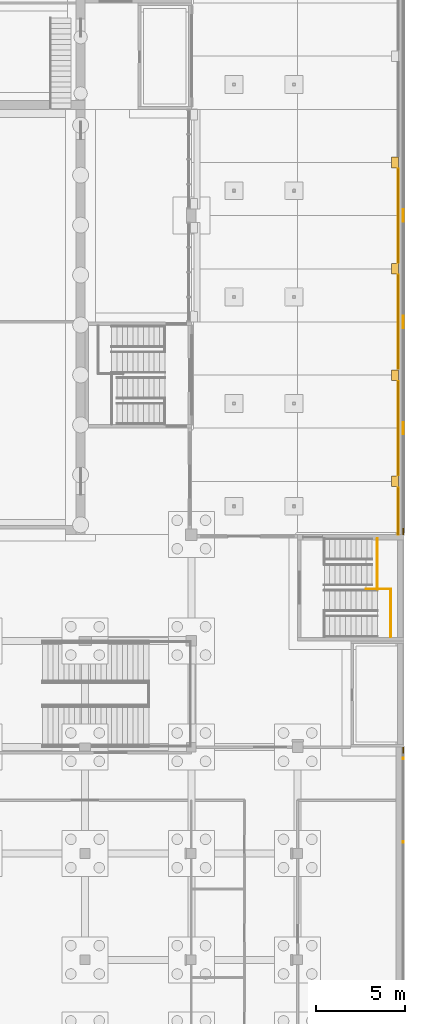
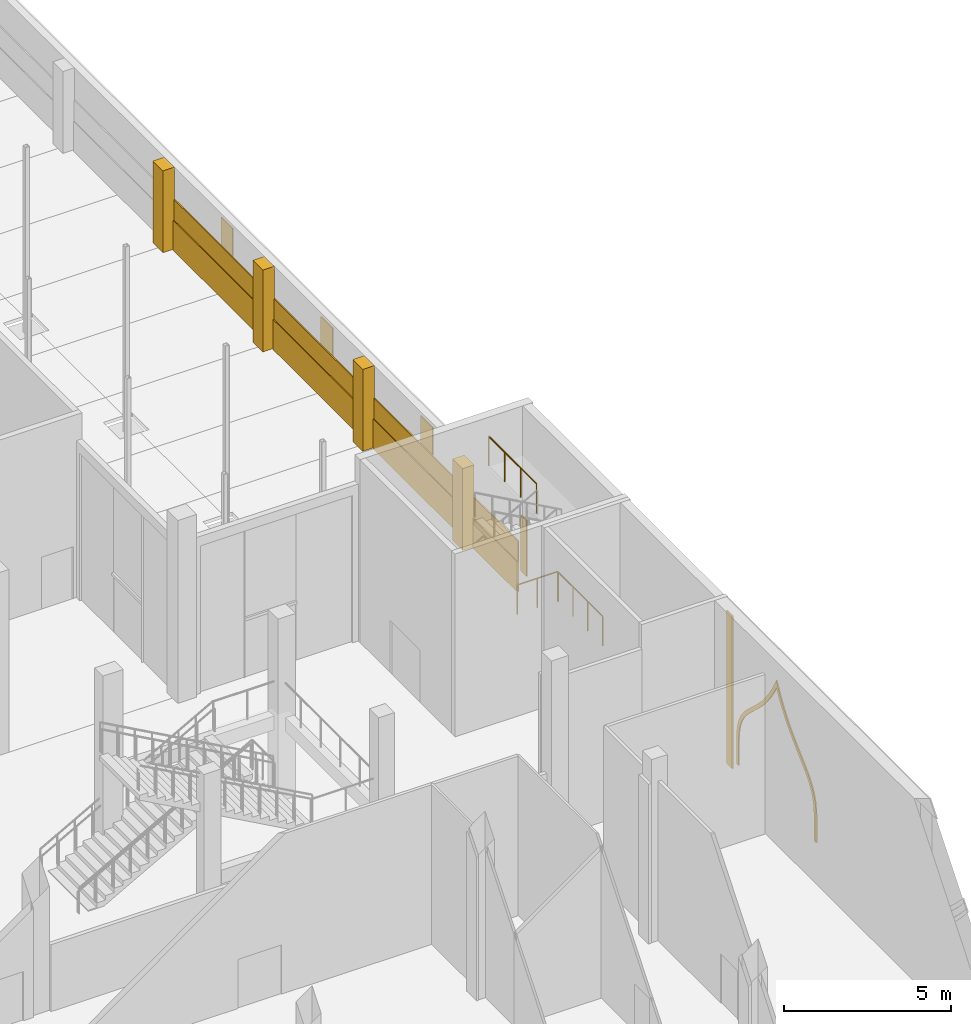
# One storey, part 73 of 95: 18 coverings, 3 railings.
"""IFC4 building model written with IfcOpenShell, lengths in metres."""

import ifcopenshell
import ifcopenshell.guid

model = None  # the IFC model being written
_history = None  # IfcOwnerHistory: only IFC2X3 demands one
_inside = {}  # id of a spatial element -> (the spatial element, [elements in it])
_under = {}  # id of a project, library or spatial element -> (it, [spatial elements below it])
_declared = {}  # id of a project -> (the project, [libraries it declares])
_typed = {}  # id of a type object -> (the type object, [elements of that type])
_made_of = {}  # id of a material, layer set ... -> (it, [elements and type objects made of it])


def new_model(schema):
    """Start an empty IFC model of exactly this schema.

    Asked for "IFC4X3", IfcOpenShell would pick the latest addendum, in which some entities
    have other attributes; the version numbers below select the first issue.
    IFC2X3 requires an IfcOwnerHistory on every rooted entity: one is made here for all.
    """
    global model, _history
    if schema == "IFC4X3":
        model = ifcopenshell.file(schema_version=(4, 3, 0, 0))
    else:
        model = ifcopenshell.file(schema=schema)
    _inside.clear()
    _under.clear()
    _declared.clear()
    _typed.clear()
    _made_of.clear()
    _history = None
    if model.schema == "IFC2X3":
        org = make("IfcOrganization", Name="unknown")
        user = make(
            "IfcPersonAndOrganization",
            ThePerson=make("IfcPerson", FamilyName="unknown"),
            TheOrganization=org,
        )
        app = make(
            "IfcApplication",
            ApplicationDeveloper=org,
            Version="unknown",
            ApplicationFullName="unknown",
            ApplicationIdentifier="unknown",
        )
        _history = make(
            "IfcOwnerHistory",
            OwningUser=user,
            OwningApplication=app,
            ChangeAction="ADDED",
            CreationDate=0,
        )
    return model


def make(cls, **values):
    """One entity of the class cls with the attributes given. An attribute that is None is left unset."""
    return model.create_entity(
        cls, **{name: value for name, value in values.items() if value is not None}
    )


def rooted(cls, **values):
    """An entity with a GlobalId (a new one), such as an element, a storey or a relation."""
    return make(cls, GlobalId=ifcopenshell.guid.new(), OwnerHistory=_history, **values)


def si_unit(unit_type, name, prefix=None):
    """IfcSIUnit, for example si_unit("LENGTHUNIT", "METRE", prefix="MILLI")."""
    return make("IfcSIUnit", UnitType=unit_type, Prefix=prefix, Name=name)


def assignment(units):
    """IfcUnitAssignment: the units of a project."""
    return None if units is None else make("IfcUnitAssignment", Units=units)


def point(xyz):
    """IfcCartesianPoint."""
    return None if xyz is None else make("IfcCartesianPoint", Coordinates=xyz)


def direction(xyz):
    """IfcDirection."""
    return None if xyz is None else make("IfcDirection", DirectionRatios=xyz)


def frame(location, z_axis=None, x_axis=None):
    """IfcAxis2Placement3D, a coordinate frame: its origin and axes. An axis left out is left unset."""
    return make(
        "IfcAxis2Placement3D",
        Location=point(location),
        Axis=direction(z_axis),
        RefDirection=direction(x_axis),
    )


def frame_2d(location, x_axis=None):
    """IfcAxis2Placement2D, a coordinate frame in the plane: its origin and x axis."""
    return make(
        "IfcAxis2Placement2D", Location=point(location), RefDirection=direction(x_axis)
    )


def origin():
    """The frame at (0, 0, 0) with its axes left unset."""
    return frame((0.0, 0.0, 0.0))


def origin_2d():
    """The frame at (0, 0) in the plane with its x axis left unset."""
    return frame_2d((0.0, 0.0))


def place(relative_to, where):
    """IfcLocalPlacement: puts the frame where relative to a parent placement (None: the world)."""
    return make(
        "IfcLocalPlacement", PlacementRelTo=relative_to, RelativePlacement=where
    )


def context(
    kind, dimensions, precision=None, world=None, true_north=None, identifier=None
):
    """IfcGeometricRepresentationContext, for example the 3D "Model" context."""
    return make(
        "IfcGeometricRepresentationContext",
        ContextIdentifier=identifier,
        ContextType=kind,
        CoordinateSpaceDimension=dimensions,
        Precision=precision,
        WorldCoordinateSystem=world,
        TrueNorth=true_north,
    )


def subcontext(parent, identifier, kind, view, scale=None):
    """IfcGeometricRepresentationSubContext, for example "Body" below "Model"."""
    return make(
        "IfcGeometricRepresentationSubContext",
        ContextIdentifier=identifier,
        ContextType=kind,
        ParentContext=parent,
        TargetScale=scale,
        TargetView=view,
    )


def project(units=None, contexts=None):
    """IfcProject with its units and contexts."""
    return rooted(
        "IfcProject",
        Name="project",
        RepresentationContexts=contexts,
        UnitsInContext=assignment(units),
    )


def spatial(cls, under=None, at=None, **own):
    """A site, building, storey or space (cls), placed at a placement, below another one or the project."""
    s = rooted(cls, ObjectPlacement=at, **own)
    if under is not None:
        _under.setdefault(under.id(), (under, []))[1].append(s)
    return s


def polyline(points):
    """IfcPolyline through the points."""
    return make("IfcPolyline", Points=[point(p) for p in points])


def profile(cls, at=None, kind="AREA", **sizes):
    """A parametric profile (cls). Its sizes go by their IFC names, for example OverallWidth=200.0."""
    return make(cls, ProfileType=kind, Position=at, **sizes)


def rectangle(**sizes):
    """IfcRectangleProfileDef."""
    return profile("IfcRectangleProfileDef", **sizes)


def circle(**sizes):
    """IfcCircleProfileDef."""
    return profile("IfcCircleProfileDef", **sizes)


def outline(outer, holes=None, kind="AREA"):
    """IfcArbitraryClosedProfileDef: a profile drawn as a closed curve; with holes, ...WithVoids."""
    if holes is None:
        return make("IfcArbitraryClosedProfileDef", ProfileType=kind, OuterCurve=outer)
    return make(
        "IfcArbitraryProfileDefWithVoids",
        ProfileType=kind,
        OuterCurve=outer,
        InnerCurves=holes,
    )


def extrude(swept, where, along, depth):
    """IfcExtrudedAreaSolid: the profile swept, set in the frame where, extruded along a direction by depth."""
    return make(
        "IfcExtrudedAreaSolid",
        SweptArea=swept,
        Position=where,
        ExtrudedDirection=direction(along),
        Depth=depth,
    )


def shape(context_of_items, identifier, shape_type, items):
    """IfcShapeRepresentation: the items that make up one representation, for example the "Body"."""
    return make(
        "IfcShapeRepresentation",
        ContextOfItems=context_of_items,
        RepresentationIdentifier=identifier,
        RepresentationType=shape_type,
        Items=items,
    )


def material(Name=None, Category=None):
    """IfcMaterial."""
    return make("IfcMaterial", Name=Name, Category=Category)


def layer(
    of_material, thickness, ventilated=None, Name=None, Category=None, Priority=None
):
    """IfcMaterialLayer: one layer of a wall or slab, of a material (None: an air gap)."""
    return make(
        "IfcMaterialLayer",
        Material=of_material,
        LayerThickness=thickness,
        IsVentilated=ventilated,
        Name=Name,
        Category=Category,
        Priority=Priority,
    )


def layer_set(layers, Name=None):
    """IfcMaterialLayerSet."""
    return make("IfcMaterialLayerSet", MaterialLayers=layers, LayerSetName=Name)


def made_of(thing, what):
    """Note that an element or type object is made of a material, layer set ...; save() writes the relation."""
    if what is not None:
        _made_of.setdefault(what.id(), (what, []))[1].append(thing)
    return thing


def type_object(cls, material=None, **own):
    """A type object (cls), such as IfcWallType, which elements share."""
    return made_of(rooted(cls, **own), material)


def element(
    cls,
    number,
    at=None,
    inside=None,
    cuts=None,
    type_object=None,
    material=None,
    context=None,
    identifier="Body",
    shape_type=None,
    held_by="IfcProductDefinitionShape",
    body=None,
    shapes=None,
    **own,
):
    """One element of the class cls, such as IfcWall. Its Tag is "e" and its number.

    at: its placement. inside: the storey or other place that contains it. cuts: it is an
    opening in that element (IfcRelVoidsElement). A single representation is given by context,
    identifier, shape_type and body (its items); several are given by shapes. held_by: the class
    of the entity that holds the representations. save() writes the other relations.
    """
    e = rooted(cls, Tag="e%d" % number, ObjectPlacement=at, **own)
    if body is not None:
        shapes = [shape(context, identifier, shape_type, body)]
    if shapes is not None:
        e.Representation = make(held_by, Representations=shapes)
    if inside is not None:
        _inside.setdefault(inside.id(), (inside, []))[1].append(e)
    if cuts is not None:
        rooted(
            "IfcRelVoidsElement", RelatingBuildingElement=cuts, RelatedOpeningElement=e
        )
    if type_object is not None:
        _typed.setdefault(type_object.id(), (type_object, []))[1].append(e)
    return made_of(e, material)


def aggregate(whole, parts):
    """IfcRelAggregates: a whole, such as a stair, and the parts it consists of."""
    return rooted("IfcRelAggregates", RelatingObject=whole, RelatedObjects=parts)


def save(model, path):
    """Write the relations noted so far, then the file.

    IfcRelAggregates (storeys below a building ...), IfcRelContainedInSpatialStructure (elements
    in a storey), IfcRelDefinesByType, IfcRelAssociatesMaterial and IfcRelDeclares: one each for
    every whole, place, type object, material and project.
    """
    for whole, parts in _under.values():
        aggregate(whole, parts)
    for where, things in _inside.values():
        rooted(
            "IfcRelContainedInSpatialStructure",
            RelatedElements=things,
            RelatingStructure=where,
        )
    for kind, things in _typed.values():
        rooted("IfcRelDefinesByType", RelatedObjects=things, RelatingType=kind)
    for what, things in _made_of.values():
        rooted("IfcRelAssociatesMaterial", RelatedObjects=things, RelatingMaterial=what)
    for by, libraries in _declared.values():
        rooted("IfcRelDeclares", RelatingContext=by, RelatedDefinitions=libraries)
    model.write(path)


model = new_model("IFC4")

# Units and contexts
model_context = context("Model", 3, precision=1e-05, world=origin(), true_north=direction((0.0, 1.0)))
body_context = subcontext(model_context, "Body", "Model", "MODEL_VIEW")
ifc_project = project(units=[si_unit("LENGTHUNIT", "METRE"), si_unit("AREAUNIT", "SQUARE_METRE"), si_unit("VOLUMEUNIT", "CUBIC_METRE"), si_unit("PLANEANGLEUNIT", "RADIAN"), si_unit("MASSUNIT", "GRAM", prefix="KILO")], contexts=[model_context])

# Site, building, storey
site_placement = place(None, origin())
site = spatial("IfcSite", under=ifc_project, at=site_placement, CompositionType="ELEMENT")
building_placement = place(site_placement, origin())
building = spatial("IfcBuilding", under=site, at=building_placement, Name="Saffron Lane Theatres", CompositionType="ELEMENT")
storey_placement = place(building_placement, origin())
storey = spatial("IfcBuildingStorey", under=building, at=storey_placement, Name="L00", CompositionType="ELEMENT", Elevation=0.0)

# Coverings
ifc_material_1 = material(Name="Masonry sandstone", Category="masonry")
ifc_layer_1 = layer(ifc_material_1, 0.0400390625)
ifc_layer_set_1 = layer_set([ifc_layer_1], Name="Masonry sandstone")
covering_type_1 = type_object("IfcCoveringType", Name="EX-BANDING COURSE SANDSTONE 40", PredefinedType="CLADDING", material=ifc_layer_set_1)
covering_1_placement = place(storey_placement, frame((65.669921875, 31.324951171875, 1.10009765625), z_axis=(0.0, 0.0, 1.0), x_axis=(0.0, 1.0, 0.0)))
element("IfcCovering", 1, at=covering_1_placement, inside=storey, type_object=covering_type_1, Name="Banding course L00", PredefinedType="CLADDING", context=body_context, shape_type="SweptSolid", body=[
    extrude(rectangle(XDim=2.64990234375, YDim=0.0400390625, at=origin_2d()), origin(), (0.0, 0.0, 1.0), 0.75),
])
for number, where, z_axis, x_axis, name in (
    (2, (65.669921875, 36.0, 1.10009765625), (0.0, 0.0, 1.0), (0.0, 1.0, 0.0), "Banding course L00"),
    (3, (65.669921875, 42.0, 1.10009765625), (0.0, 0.0, 1.0), (0.0, 1.0, 0.0), "Banding course L00"),
    (4, (65.669921875, 48.0, 1.10009765625), (0.0, 0.0, 1.0), (0.0, 1.0, 0.0), "Banding course L00"),
):
    element("IfcCovering", number, at=place(storey_placement, frame(where, z_axis=z_axis, x_axis=x_axis)), inside=storey, type_object=covering_type_1, Name=name, PredefinedType="CLADDING", context=body_context, shape_type="SweptSolid", body=[
        extrude(rectangle(XDim=5.300048828125, YDim=0.0400390625, at=origin_2d()), origin(), (0.0, 0.0, 1.0), 0.75),
    ])
ifc_material_2 = material(Name="Masonry sandstone", Category="masonry")
ifc_layer_2 = layer(ifc_material_2, 0.39990234375)
ifc_layer_set_2 = layer_set([ifc_layer_2], Name="Masonry sandstone")
covering_type_2 = type_object("IfcCoveringType", Name="EX-BOUNDARY PILASTER SANDSTONE 400", PredefinedType="CLADDING", material=ifc_layer_set_2)
for number, where, z_axis, x_axis, name in (
    (5, (65.489990234375, 33.0, 0.0), (0.0, 0.0, 1.0), (0.0, 1.0, 0.0), "Boundary wall pilaster L00"),
    (6, (65.489990234375, 39.0, 0.0), (0.0, 0.0, 1.0), (0.0, 1.0, 0.0), "Boundary wall pilaster L00"),
    (7, (65.489990234375, 45.0, 0.0), (0.0, 0.0, 1.0), (0.0, 1.0, 0.0), "Boundary wall pilaster L00"),
    (8, (65.489990234375, 51.0, 0.0), (0.0, 0.0, 1.0), (0.0, 1.0, 0.0), "Boundary wall pilaster L00"),
):
    element("IfcCovering", number, at=place(storey_placement, frame(where, z_axis=z_axis, x_axis=x_axis)), inside=storey, type_object=covering_type_2, Name=name, PredefinedType="CLADDING", context=body_context, shape_type="SweptSolid", body=[
        extrude(rectangle(XDim=0.60009765625, YDim=0.39990234375, at=origin_2d()), origin(), (0.0, 0.0, 1.0), 3.0),
    ])
ifc_material_3 = material(Name="Face brick cladding, pale buff", Category="masonry")
ifc_layer_3 = layer(ifc_material_3, 0.0400390625)
ifc_layer_set_3 = layer_set([ifc_layer_3], Name="Face brick cladding, pale buff")
covering_type_3 = type_object("IfcCoveringType", Name="EX-FACE BRICK SKIN PALE BUFF 40", PredefinedType="CLADDING", material=ifc_layer_set_3)
covering_2_placement = place(storey_placement, frame((65.9599609375, 17.824951171875, 0.89990234375), z_axis=(0.0, 0.0, 1.0), x_axis=(0.0, 1.0, 0.0)))
element("IfcCovering", 9, at=covering_2_placement, inside=storey, type_object=covering_type_3, Name="Face brick cladding, pale buff L00", PredefinedType="CLADDING", context=body_context, shape_type="SweptSolid", body=[
    extrude(rectangle(XDim=0.35009765625, YDim=0.0400390625, at=origin_2d()), origin(), (0.0, 0.0, 1.0), 5.60009765625),
])
covering_3_placement = place(storey_placement, frame((65.9599609375, 30.175048828125, 0.4501953125), z_axis=(0.0, 0.0, 1.0), x_axis=(0.0, 1.0, 0.0)))
element("IfcCovering", 10, at=covering_3_placement, inside=storey, type_object=covering_type_3, Name="Face brick cladding, pale buff L00", PredefinedType="CLADDING", context=body_context, shape_type="SweptSolid", body=[
    extrude(rectangle(XDim=0.35009765625, YDim=0.0400390625, at=origin_2d()), origin(), (0.0, 0.0, 1.0), 2.050048828125),
])
for number, where, z_axis, x_axis, name in (
    (11, (65.9599609375, 36.0, 0.4501953125), (0.0, 0.0, 1.0), (0.0, 1.0, 0.0), "Face brick cladding, pale buff L00"),
    (12, (65.9599609375, 42.0, 0.4501953125), (0.0, 0.0, 1.0), (0.0, 1.0, 0.0), "Face brick cladding, pale buff L00"),
    (13, (65.9599609375, 48.0, 0.4501953125), (0.0, 0.0, 1.0), (0.0, 1.0, 0.0), "Face brick cladding, pale buff L00"),
):
    element("IfcCovering", number, at=place(storey_placement, frame(where, z_axis=z_axis, x_axis=x_axis)), inside=storey, type_object=covering_type_3, Name=name, PredefinedType="CLADDING", context=body_context, shape_type="SweptSolid", body=[
        extrude(rectangle(XDim=0.699951171875, YDim=0.0400390625, at=origin_2d()), origin(), (0.0, 0.0, 1.0), 2.050048828125),
    ])
ifc_material_4 = material(Name="Face brick cladding, pale buff", Category="masonry")
ifc_layer_4 = layer(ifc_material_4, 0.0400390625)
ifc_layer_set_4 = layer_set([ifc_layer_4], Name="Face brick cladding, pale buff")
covering_type_4 = type_object("IfcCoveringType", Name="EX-NICHE FRAME RING FACE BRICK PALE BUFF", PredefinedType="CLADDING", material=ifc_layer_set_4)
covering_4_placement = place(storey_placement, frame((65.93994140625, 12.60009765625, 2.152099609375), z_axis=(-1.0, 0.0, 0.0), x_axis=(0.0, 0.053339022878, 0.998576461088)))
element("IfcCovering", 14, at=covering_4_placement, inside=storey, type_object=covering_type_4, Name="Court wall niche ring", PredefinedType="CLADDING", context=body_context, shape_type="SweptSolid", body=[
    extrude(outline(polyline([(0.0, 0.0), (0.279206054433033, -1.734723475976807e-18), (0.5302189974084848, 0.030600087807743755), (0.7546412027165392, 0.08975876321599356), (0.957666829255272, 0.1740202272751767), (1.143645085821301, 0.28241870073845177), (1.3166126478740696, 0.4081373704072918), (1.483382699468162, 0.5505678209736734), (1.6489446730874813, 0.7069986549543668), (1.820160212532198, 0.8731515385991627), (1.9996980194744525, 1.048639434380536), (2.1966399198910627, 1.229554394709478), (2.4138853863131065, 1.4152525667547606), (2.6580522694594353, 1.6014686389885575), (2.935479189444375, 1.7878640336289293), (3.2496146869296125, 1.9703427280390193), (3.720787085433957, 2.204577498130685), (3.2772478428247567, 2.487671646600571), (2.9843385678225935, 2.7025756747424743), (2.728346225878845, 2.9174636919552195), (2.5054055652155913, 3.1286303422734156), (2.3091779657185065, 3.336414203479002), (2.132628865552507, 3.537279208497558), (1.972806703296986, 3.73089403783503), (1.8202650307484223, 3.91434043280346), (1.6722570129003822, 4.086542672442452), (1.52166056150505, 4.2469032288758095), (1.3630695329622904, 4.390332120984516), (1.189644698772755, 4.516950177913953), (0.9968024501369451, 4.623334903447199), (0.7799591782553628, 4.706063801367329), (0.5336342353375227, 4.763229222834873), (0.25601689203512473, 4.792971978755942), (-0.6447985434431664, 4.8410890904583725), (-0.6522602768681983, 4.701395654861875), (0.24441067622764878, 4.653499920939942), (0.5103780405162042, 4.625357404018502), (0.7388185620849336, 4.572081143983088), (0.9381774723673122, 4.4961539022485475), (1.1141401455679993, 4.398738926188011), (1.274163618572807, 4.282127273024531), (1.4241379920005675, 4.146737788664895), (1.5679899995971691, 3.992849703713629), (1.7132417893603356, 3.8239730408003876), (1.8648603784731472, 3.6415539070467675), (2.026567774267319, 3.4466159345236367), (2.2048718857481466, 3.2419898555062194), (2.4069729344977393, 3.029735956358632), (2.635747977746354, 2.8133678888544744), (2.8973178869717606, 2.59304768359683), (3.197946778097935, 2.371619095083306), (3.4372557318585164, 2.2197223427612474), (3.1831274890269294, 2.0941825685408717), (2.8606212642985676, 1.9060387804363907), (2.577069843691915, 1.7148362644254675), (2.3265476890649355, 1.5240698861248223), (2.102986017829387, 1.3345527872566518), (1.903898439426481, 1.1500851084869645), (1.7223451767217532, 0.9734824250780479), (1.5521568984918466, 0.808252624869004), (1.3897418196288687, 0.6558100066021677), (1.2303152340630905, 0.5181215662944257), (1.0667717049130208, 0.3994786599183697), (0.8952365873223002, 0.3005772291947563), (0.7098979140063897, 0.22246118670472007), (0.5035851369718871, 0.16820292301425147), (0.2707691486827202, 0.13956470772606377), (0.003317251042587765, 0.13991481337699654), (-0.8933537020532594, 0.18781054729892882), (-0.9008154354782912, 0.04811711170243062), (0.0, 0.0)])), origin(), (0.0, 0.0, -1.0), 0.0400390625),
])
ifc_material_5 = material(Name="Masonry sandstone", Category="masonry")
ifc_layer_5 = layer(ifc_material_5, 0.070068359375)
ifc_layer_set_5 = layer_set([ifc_layer_5], Name="Masonry sandstone")
covering_type_5 = type_object("IfcCoveringType", Name="EX-PLINTH COURSE SANDSTONE 70", PredefinedType="CLADDING", material=ifc_layer_set_5)
covering_5_placement = place(storey_placement, frame((65.655029296875, 31.324951171875, 0.0), z_axis=(0.0, 0.0, 1.0), x_axis=(0.0, 1.0, 0.0)))
element("IfcCovering", 15, at=covering_5_placement, inside=storey, type_object=covering_type_5, Name="Plinth course L00", PredefinedType="CLADDING", context=body_context, shape_type="SweptSolid", body=[
    extrude(rectangle(XDim=2.64990234375, YDim=0.070068359375, at=origin_2d()), origin(), (0.0, 0.0, 1.0), 1.10009765625),
])
for number, where, z_axis, x_axis, name in (
    (16, (65.655029296875, 36.0, 0.0), (0.0, 0.0, 1.0), (0.0, 1.0, 0.0), "Plinth course L00"),
    (17, (65.655029296875, 42.0, 0.0), (0.0, 0.0, 1.0), (0.0, 1.0, 0.0), "Plinth course L00"),
    (18, (65.655029296875, 48.0, 0.0), (0.0, 0.0, 1.0), (0.0, 1.0, 0.0), "Plinth course L00"),
):
    element("IfcCovering", number, at=place(storey_placement, frame(where, z_axis=z_axis, x_axis=x_axis)), inside=storey, type_object=covering_type_5, Name=name, PredefinedType="CLADDING", context=body_context, shape_type="SweptSolid", body=[
        extrude(rectangle(XDim=5.300048828125, YDim=0.070068359375, at=origin_2d()), origin(), (0.0, 0.0, 1.0), 1.10009765625),
    ])

# Railings
ifc_material_6 = material(Name="Steel Grade 350", Category="steel")
railing_type = type_object("IfcRailingType", Name="VC-GUARD 1100", PredefinedType="GUARDRAIL", material=ifc_material_6)
railing_1_placement = place(storey_placement, frame((65.25, 26.89990234375, 1.666748046875)))
element("IfcRailing", 19, at=railing_1_placement, inside=storey, type_object=railing_type, Name="Studio North Stair landing guard 1N1s", PredefinedType="GUARDRAIL", context=body_context, shape_type="SweptSolid", body=[
    extrude(circle(Radius=0.02392578125, at=origin_2d()), frame((0.0, 0.0, 1.076171875), z_axis=(0.0, -1.0, 0.0), x_axis=(1.0, 0.0, 0.0)), (0.0, 0.0, 1.0), 2.669921875),
    extrude(circle(Radius=0.02099609375, at=origin_2d()), origin(), (0.0, 0.0, 1.0), 1.052001953125),
    extrude(circle(Radius=0.02099609375, at=origin_2d()), frame((0.0, -0.889892578125, 0.0)), (0.0, 0.0, 1.0), 1.052001953125),
    extrude(circle(Radius=0.02099609375, at=origin_2d()), frame((0.0, -1.780029296875, 0.0)), (0.0, 0.0, 1.0), 1.052001953125),
    extrude(circle(Radius=0.02099609375, at=origin_2d()), frame((0.0, -2.669921875, 0.0)), (0.0, 0.0, 1.0), 1.052001953125),
])
railing_2_placement = place(storey_placement, frame((63.85009765625, 26.929931640625, 1.666748046875)))
element("IfcRailing", 20, at=railing_2_placement, inside=storey, type_object=railing_type, Name="Studio North Stair landing guard 1N1e", PredefinedType="GUARDRAIL", context=body_context, shape_type="SweptSolid", body=[
    extrude(circle(Radius=0.02392578125, at=origin_2d()), frame((0.0, 0.0, 1.076171875), z_axis=(1.0, 0.0, 0.0), x_axis=(0.0, 1.0, 0.0)), (0.0, 0.0, 1.0), 1.39990234375),
    extrude(circle(Radius=0.02099609375, at=origin_2d()), origin(), (0.0, 0.0, 1.0), 1.052001953125),
    extrude(circle(Radius=0.02099609375, at=origin_2d()), frame((0.699951171875, 0.0, 0.0)), (0.0, 0.0, 1.0), 1.052001953125),
    extrude(circle(Radius=0.02099609375, at=origin_2d()), frame((1.39990234375, 0.0, 0.0)), (0.0, 0.0, 1.0), 1.052001953125),
])
railing_3_placement = place(storey_placement, frame((64.5, 29.77001953125, 5.166748046875)))
element("IfcRailing", 21, at=railing_3_placement, inside=storey, type_object=railing_type, Name="Studio North Stair landing guard 1N2s", PredefinedType="GUARDRAIL", context=body_context, shape_type="SweptSolid", body=[
    extrude(circle(Radius=0.02392578125, at=origin_2d()), frame((0.0, 0.0, 1.076171875), z_axis=(0.0, -1.0, 0.0), x_axis=(1.0, 0.0, 0.0)), (0.0, 0.0, 1.0), 2.8701171875),
    extrude(circle(Radius=0.02099609375, at=origin_2d()), origin(), (0.0, 0.0, 1.0), 1.052001953125),
    extrude(circle(Radius=0.02099609375, at=origin_2d()), frame((0.0, -0.956787109375, 0.0)), (0.0, 0.0, 1.0), 1.052001953125),
    extrude(circle(Radius=0.02099609375, at=origin_2d()), frame((0.0, -1.913330078125, 0.0)), (0.0, 0.0, 1.0), 1.052001953125),
    extrude(circle(Radius=0.02099609375, at=origin_2d()), frame((0.0, -2.8701171875, 0.0)), (0.0, 0.0, 1.0), 1.052001953125),
])

save(model, "model.ifc")
